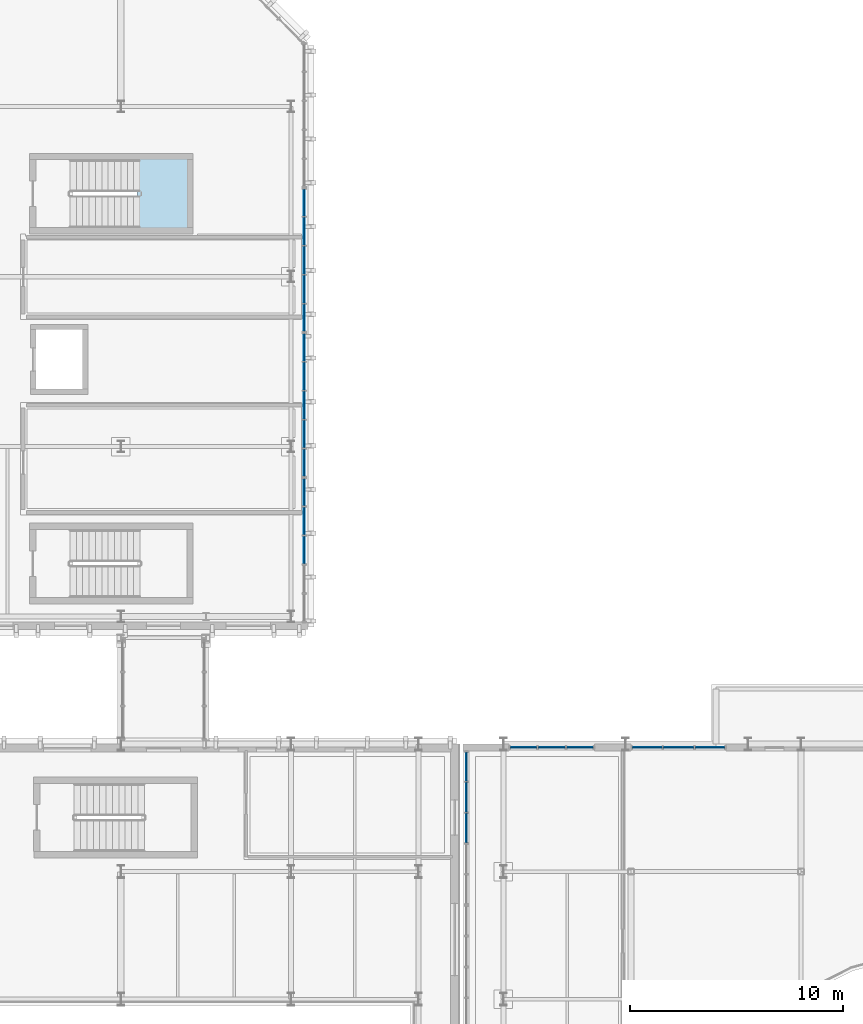
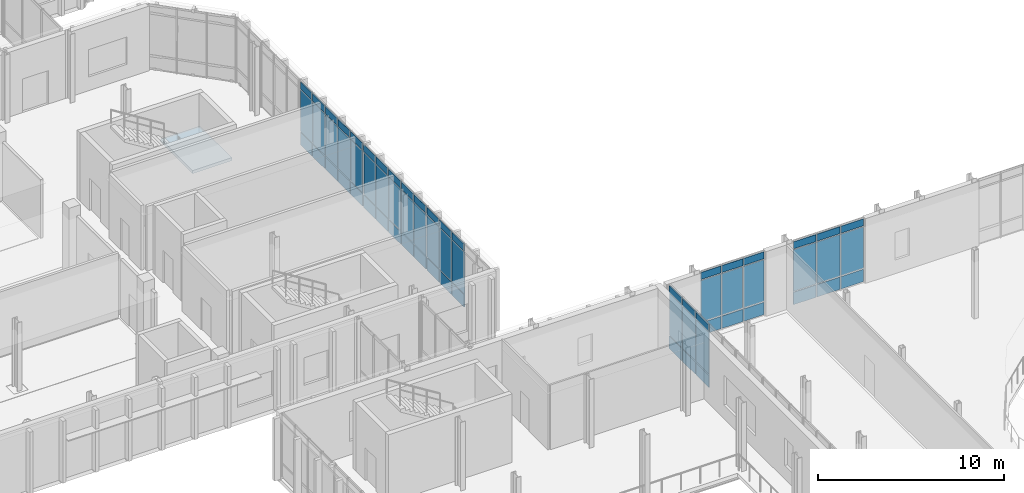
# One storey, part 50 of 100: 66 plates, 1 slab, 7 elements without a shape of their own.
"""IFC4 building model written with IfcOpenShell, lengths in metres."""

from ifc_helpers import new_model, si_unit, direction, frame, origin, origin_2d, place, context, subcontext, project, spatial, polyline, rectangle, outline, extrude, material, layer, layer_set, type_object, element, aggregate, save


model = new_model("IFC4")

# Units and contexts
model_context = context("Model", 3, precision=1e-05, world=origin(), true_north=direction((0.0, 1.0)))
body_context = subcontext(model_context, "Body", "Model", "MODEL_VIEW")
ifc_project = project(units=[si_unit("LENGTHUNIT", "METRE"), si_unit("AREAUNIT", "SQUARE_METRE"), si_unit("VOLUMEUNIT", "CUBIC_METRE"), si_unit("PLANEANGLEUNIT", "RADIAN"), si_unit("MASSUNIT", "GRAM", prefix="KILO")], contexts=[model_context])

# Site, building, storey
site_placement = place(None, origin())
site = spatial("IfcSite", under=ifc_project, at=site_placement, CompositionType="ELEMENT")
building_placement = place(site_placement, origin())
building = spatial("IfcBuilding", under=site, at=building_placement, Name="Cymarion Research Institute", CompositionType="ELEMENT")
storey_placement = place(building_placement, frame((0.0, 0.0, 4.800048828125)))
storey = spatial("IfcBuildingStorey", under=building, at=storey_placement, Name="L01", CompositionType="ELEMENT", Elevation=4.800048828125)

# Curtain wall, plates
ifc_material_1 = material(Name="Anodised aluminium unitised curtain wall with Low-E glazing", Category="aluminium")
curtain_wall_type_1 = type_object("IfcCurtainWallType", Name="UNITISED CURTAIN WALL CW12 4460X4250", PredefinedType="NOTDEFINED", material=ifc_material_1)
curtain_wall_1_placement = place(storey_placement, origin())
curtain_wall_1 = element("IfcCurtainWall", 1, at=curtain_wall_1_placement, inside=storey, type_object=curtain_wall_type_1, Name="L01 V2 unitised curtain wall CW12 #27", PredefinedType="NOTDEFINED")
ifc_material_2 = material(Name="Insulated anodised aluminium spandrel panel", Category="aluminium")
ifc_layer_1 = layer(ifc_material_2, 0.06005859375)
ifc_layer_set_1 = layer_set([ifc_layer_1], Name="Insulated anodised aluminium spandrel panel")
plate_type_1 = type_object("IfcPlateType", Name="INSULATED ALUMINIUM SPANDREL PANEL SP01 60MM", PredefinedType="SHEET", material=ifc_layer_set_1)
plate_1_placement = place(storey_placement, frame((66.3154296875, 41.340087890625, 0.059814453125), z_axis=(0.0, 0.0, 1.0), x_axis=(-1.0, 0.0, 0.0)))
plate_1 = element("IfcPlate", 2, at=plate_1_placement, type_object=plate_type_1, Name="CW12 panel 1.1", PredefinedType="SHEET", context=body_context, shape_type="SweptSolid", body=[
    extrude(rectangle(XDim=1.398193359375, YDim=0.06005859375, at=origin_2d()), origin(), (0.0, 0.0, 1.0), 0.81005859375),
])
plate_2_placement = place(storey_placement, frame((66.3154296875, 41.340087890625, 3.72998046875), z_axis=(0.0, 0.0, 1.0), x_axis=(-1.0, 0.0, 0.0)))
plate_2 = element("IfcPlate", 3, at=plate_2_placement, type_object=plate_type_1, Name="CW12 panel 1.3", PredefinedType="SHEET", context=body_context, shape_type="SweptSolid", body=[
    extrude(rectangle(XDim=1.398193359375, YDim=0.06005859375, at=origin_2d()), origin(), (0.0, 0.0, 1.0), 0.4599609375),
])
plate_3_placement = place(storey_placement, frame((64.84228515625, 41.340087890625, 0.059814453125), z_axis=(0.0, 0.0, 1.0), x_axis=(-1.0, 0.0, 0.0)))
plate_3 = element("IfcPlate", 4, at=plate_3_placement, type_object=plate_type_1, Name="CW12 panel 2.1", PredefinedType="SHEET", context=body_context, shape_type="SweptSolid", body=[
    extrude(rectangle(XDim=1.42822265625, YDim=0.06005859375, at=origin_2d()), origin(), (0.0, 0.0, 1.0), 0.81005859375),
])
plate_4_placement = place(storey_placement, frame((64.84228515625, 41.340087890625, 3.72998046875), z_axis=(0.0, 0.0, 1.0), x_axis=(-1.0, 0.0, 0.0)))
plate_4 = element("IfcPlate", 5, at=plate_4_placement, type_object=plate_type_1, Name="CW12 panel 2.3", PredefinedType="SHEET", context=body_context, shape_type="SweptSolid", body=[
    extrude(rectangle(XDim=1.42822265625, YDim=0.06005859375, at=origin_2d()), origin(), (0.0, 0.0, 1.0), 0.4599609375),
])
plate_5_placement = place(storey_placement, frame((63.369140625, 41.340087890625, 0.059814453125), z_axis=(0.0, 0.0, 1.0), x_axis=(-1.0, 0.0, 0.0)))
plate_5 = element("IfcPlate", 6, at=plate_5_placement, type_object=plate_type_1, Name="CW12 panel 3.1", PredefinedType="SHEET", context=body_context, shape_type="SweptSolid", body=[
    extrude(rectangle(XDim=1.398193359375, YDim=0.06005859375, at=origin_2d()), origin(), (0.0, 0.0, 1.0), 0.81005859375),
])
plate_6_placement = place(storey_placement, frame((63.369140625, 41.340087890625, 3.72998046875), z_axis=(0.0, 0.0, 1.0), x_axis=(-1.0, 0.0, 0.0)))
plate_6 = element("IfcPlate", 7, at=plate_6_placement, type_object=plate_type_1, Name="CW12 panel 3.3", PredefinedType="SHEET", context=body_context, shape_type="SweptSolid", body=[
    extrude(rectangle(XDim=1.398193359375, YDim=0.06005859375, at=origin_2d()), origin(), (0.0, 0.0, 1.0), 0.4599609375),
])

curtain_wall_type_2 = type_object("IfcCurtainWallType", Name="UNITISED CURTAIN WALL CW13 4030X4250", PredefinedType="NOTDEFINED", material=ifc_material_1)
curtain_wall_2_placement = place(storey_placement, origin())
curtain_wall_2 = element("IfcCurtainWall", 8, at=curtain_wall_2_placement, inside=storey, type_object=curtain_wall_type_2, Name="L01 V2 unitised curtain wall CW13 #28", PredefinedType="NOTDEFINED")
plate_7_placement = place(storey_placement, frame((60.201171875, 41.340087890625, 0.059814453125), z_axis=(0.0, 0.0, 1.0), x_axis=(-1.0, 0.0, 0.0)))
plate_7 = element("IfcPlate", 9, at=plate_7_placement, type_object=plate_type_1, Name="CW13 panel 1.1", PredefinedType="SHEET", context=body_context, shape_type="SweptSolid", body=[
    extrude(rectangle(XDim=1.25244140625, YDim=0.06005859375, at=origin_2d()), origin(), (0.0, 0.0, 1.0), 0.81005859375),
])
plate_8_placement = place(storey_placement, frame((60.201171875, 41.340087890625, 3.72998046875), z_axis=(0.0, 0.0, 1.0), x_axis=(-1.0, 0.0, 0.0)))
plate_8 = element("IfcPlate", 10, at=plate_8_placement, type_object=plate_type_1, Name="CW13 panel 1.3", PredefinedType="SHEET", context=body_context, shape_type="SweptSolid", body=[
    extrude(rectangle(XDim=1.25244140625, YDim=0.06005859375, at=origin_2d()), origin(), (0.0, 0.0, 1.0), 0.4599609375),
])
plate_9_placement = place(storey_placement, frame((58.87353515625, 41.340087890625, 0.059814453125), z_axis=(0.0, 0.0, 1.0), x_axis=(-1.0, 0.0, 0.0)))
plate_9 = element("IfcPlate", 11, at=plate_9_placement, type_object=plate_type_1, Name="CW13 panel 2.1", PredefinedType="SHEET", context=body_context, shape_type="SweptSolid", body=[
    extrude(rectangle(XDim=1.282470703125, YDim=0.06005859375, at=origin_2d()), origin(), (0.0, 0.0, 1.0), 0.81005859375),
])
plate_10_placement = place(storey_placement, frame((58.87353515625, 41.340087890625, 3.72998046875), z_axis=(0.0, 0.0, 1.0), x_axis=(-1.0, 0.0, 0.0)))
plate_10 = element("IfcPlate", 12, at=plate_10_placement, type_object=plate_type_1, Name="CW13 panel 2.3", PredefinedType="SHEET", context=body_context, shape_type="SweptSolid", body=[
    extrude(rectangle(XDim=1.282470703125, YDim=0.06005859375, at=origin_2d()), origin(), (0.0, 0.0, 1.0), 0.4599609375),
])
plate_11_placement = place(storey_placement, frame((57.546142578125, 41.340087890625, 0.059814453125), z_axis=(0.0, 0.0, 1.0), x_axis=(-1.0, 0.0, 0.0)))
plate_11 = element("IfcPlate", 13, at=plate_11_placement, type_object=plate_type_1, Name="CW13 panel 3.1", PredefinedType="SHEET", context=body_context, shape_type="SweptSolid", body=[
    extrude(rectangle(XDim=1.25244140625, YDim=0.06005859375, at=origin_2d()), origin(), (0.0, 0.0, 1.0), 0.81005859375),
])
plate_12_placement = place(storey_placement, frame((57.546142578125, 41.340087890625, 3.72998046875), z_axis=(0.0, 0.0, 1.0), x_axis=(-1.0, 0.0, 0.0)))
plate_12 = element("IfcPlate", 14, at=plate_12_placement, type_object=plate_type_1, Name="CW13 panel 3.3", PredefinedType="SHEET", context=body_context, shape_type="SweptSolid", body=[
    extrude(rectangle(XDim=1.25244140625, YDim=0.06005859375, at=origin_2d()), origin(), (0.0, 0.0, 1.0), 0.4599609375),
])

curtain_wall_type_3 = type_object("IfcCurtainWallType", Name="UNITISED CURTAIN WALL CW14 7260X4250", PredefinedType="NOTDEFINED", material=ifc_material_1)
curtain_wall_3_placement = place(storey_placement, origin())
curtain_wall_3 = element("IfcCurtainWall", 15, at=curtain_wall_3_placement, inside=storey, type_object=curtain_wall_type_3, Name="L01 V2 unitised curtain wall CW14 #29", PredefinedType="NOTDEFINED")
plate_13_placement = place(storey_placement, frame((54.860107421875, 40.439453125, 0.059814453125), z_axis=(0.0, 0.0, 1.0), x_axis=(0.0, -1.0, 0.0)))
plate_13 = element("IfcPlate", 16, at=plate_13_placement, type_object=plate_type_1, Name="CW14 panel 1.1", PredefinedType="SHEET", context=body_context, shape_type="SweptSolid", body=[
    extrude(rectangle(XDim=1.361083984375, YDim=0.06005859375, at=origin_2d()), origin(), (0.0, 0.0, 1.0), 0.81005859375),
])
plate_14_placement = place(storey_placement, frame((54.860107421875, 40.439453125, 3.72998046875), z_axis=(0.0, 0.0, 1.0), x_axis=(0.0, -1.0, 0.0)))
plate_14 = element("IfcPlate", 17, at=plate_14_placement, type_object=plate_type_1, Name="CW14 panel 1.3", PredefinedType="SHEET", context=body_context, shape_type="SweptSolid", body=[
    extrude(rectangle(XDim=1.361083984375, YDim=0.06005859375, at=origin_2d()), origin(), (0.0, 0.0, 1.0), 0.4599609375),
])
plate_15_placement = place(storey_placement, frame((54.860107421875, 39.003173828125, 0.059814453125), z_axis=(0.0, 0.0, 1.0), x_axis=(0.0, -1.0, 0.0)))
plate_15 = element("IfcPlate", 18, at=plate_15_placement, type_object=plate_type_1, Name="CW14 panel 2.1", PredefinedType="SHEET", context=body_context, shape_type="SweptSolid", body=[
    extrude(rectangle(XDim=1.39111328125, YDim=0.06005859375, at=origin_2d()), origin(), (0.0, 0.0, 1.0), 0.81005859375),
])
plate_16_placement = place(storey_placement, frame((54.860107421875, 39.003173828125, 3.72998046875), z_axis=(0.0, 0.0, 1.0), x_axis=(0.0, -1.0, 0.0)))
plate_16 = element("IfcPlate", 19, at=plate_16_placement, type_object=plate_type_1, Name="CW14 panel 2.3", PredefinedType="SHEET", context=body_context, shape_type="SweptSolid", body=[
    extrude(rectangle(XDim=1.39111328125, YDim=0.06005859375, at=origin_2d()), origin(), (0.0, 0.0, 1.0), 0.4599609375),
])
plate_17_placement = place(storey_placement, frame((54.860107421875, 37.552001953125, 0.059814453125), z_axis=(0.0, 0.0, 1.0), x_axis=(0.0, -1.0, 0.0)))
plate_17 = element("IfcPlate", 20, at=plate_17_placement, type_object=plate_type_1, Name="CW14 panel 3.1", PredefinedType="SHEET", context=body_context, shape_type="SweptSolid", body=[
    extrude(rectangle(XDim=1.39111328125, YDim=0.06005859375, at=origin_2d()), origin(), (0.0, 0.0, 1.0), 0.81005859375),
])
plate_18_placement = place(storey_placement, frame((54.860107421875, 37.552001953125, 3.72998046875), z_axis=(0.0, 0.0, 1.0), x_axis=(0.0, -1.0, 0.0)))
plate_18 = element("IfcPlate", 21, at=plate_18_placement, type_object=plate_type_1, Name="CW14 panel 3.3", PredefinedType="SHEET", context=body_context, shape_type="SweptSolid", body=[
    extrude(rectangle(XDim=1.39111328125, YDim=0.06005859375, at=origin_2d()), origin(), (0.0, 0.0, 1.0), 0.4599609375),
])

curtain_wall_type_4 = type_object("IfcCurtainWallType", Name="UNITISED CURTAIN WALL CW20 6820X4250", PredefinedType="NOTDEFINED", material=ifc_material_1)
curtain_wall_4_placement = place(storey_placement, origin())
curtain_wall_4 = element("IfcCurtainWall", 22, at=curtain_wall_4_placement, inside=storey, type_object=curtain_wall_type_4, Name="L01 V4 unitised curtain wall CW20 #39", PredefinedType="NOTDEFINED")
plate_19_placement = place(storey_placement, frame((47.22998046875, 50.6318359375, 0.059814453125), z_axis=(0.0, 0.0, 1.0), x_axis=(0.0, 1.0, 0.0)))
plate_19 = element("IfcPlate", 23, at=plate_19_placement, type_object=plate_type_1, Name="CW20 panel 3.1", PredefinedType="SHEET", context=body_context, shape_type="SweptSolid", body=[
    extrude(rectangle(XDim=1.303955078125, YDim=0.06005859375, at=origin_2d()), origin(), (0.0, 0.0, 1.0), 0.81005859375),
])
plate_20_placement = place(storey_placement, frame((47.22998046875, 50.6318359375, 3.72998046875), z_axis=(0.0, 0.0, 1.0), x_axis=(0.0, 1.0, 0.0)))
plate_20 = element("IfcPlate", 24, at=plate_20_placement, type_object=plate_type_1, Name="CW20 panel 3.3", PredefinedType="SHEET", context=body_context, shape_type="SweptSolid", body=[
    extrude(rectangle(XDim=1.303955078125, YDim=0.06005859375, at=origin_2d()), origin(), (0.0, 0.0, 1.0), 0.4599609375),
])
plate_21_placement = place(storey_placement, frame((47.22998046875, 51.99560546875, 0.059814453125), z_axis=(0.0, 0.0, 1.0), x_axis=(0.0, 1.0, 0.0)))
plate_21 = element("IfcPlate", 25, at=plate_21_placement, type_object=plate_type_1, Name="CW20 panel 4.1", PredefinedType="SHEET", context=body_context, shape_type="SweptSolid", body=[
    extrude(rectangle(XDim=1.303955078125, YDim=0.06005859375, at=origin_2d()), origin(), (0.0, 0.0, 1.0), 0.81005859375),
])
plate_22_placement = place(storey_placement, frame((47.22998046875, 51.99560546875, 3.72998046875), z_axis=(0.0, 0.0, 1.0), x_axis=(0.0, 1.0, 0.0)))
plate_22 = element("IfcPlate", 26, at=plate_22_placement, type_object=plate_type_1, Name="CW20 panel 4.3", PredefinedType="SHEET", context=body_context, shape_type="SweptSolid", body=[
    extrude(rectangle(XDim=1.303955078125, YDim=0.06005859375, at=origin_2d()), origin(), (0.0, 0.0, 1.0), 0.4599609375),
])
plate_23_placement = place(storey_placement, frame((47.22998046875, 53.344482421875, 0.059814453125), z_axis=(0.0, 0.0, 1.0), x_axis=(0.0, 1.0, 0.0)))
plate_23 = element("IfcPlate", 27, at=plate_23_placement, type_object=plate_type_1, Name="CW20 panel 5.1", PredefinedType="SHEET", context=body_context, shape_type="SweptSolid", body=[
    extrude(rectangle(XDim=1.27392578125, YDim=0.06005859375, at=origin_2d()), origin(), (0.0, 0.0, 1.0), 0.81005859375),
])
plate_24_placement = place(storey_placement, frame((47.22998046875, 53.344482421875, 3.72998046875), z_axis=(0.0, 0.0, 1.0), x_axis=(0.0, 1.0, 0.0)))
plate_24 = element("IfcPlate", 28, at=plate_24_placement, type_object=plate_type_1, Name="CW20 panel 5.3", PredefinedType="SHEET", context=body_context, shape_type="SweptSolid", body=[
    extrude(rectangle(XDim=1.27392578125, YDim=0.06005859375, at=origin_2d()), origin(), (0.0, 0.0, 1.0), 0.4599609375),
])

curtain_wall_5_placement = place(storey_placement, origin())
curtain_wall_5 = element("IfcCurtainWall", 29, at=curtain_wall_5_placement, inside=storey, type_object=curtain_wall_type_4, Name="L01 V4 unitised curtain wall CW20 #40", PredefinedType="NOTDEFINED")
plate_25_placement = place(storey_placement, frame((47.22998046875, 54.738525390625, 0.059814453125), z_axis=(0.0, 0.0, 1.0), x_axis=(0.0, 1.0, 0.0)))
plate_25 = element("IfcPlate", 30, at=plate_25_placement, type_object=plate_type_1, Name="CW20 panel 1.1", PredefinedType="SHEET", context=body_context, shape_type="SweptSolid", body=[
    extrude(rectangle(XDim=1.27392578125, YDim=0.06005859375, at=origin_2d()), origin(), (0.0, 0.0, 1.0), 0.81005859375),
])
plate_26_placement = place(storey_placement, frame((47.22998046875, 54.738525390625, 3.72998046875), z_axis=(0.0, 0.0, 1.0), x_axis=(0.0, 1.0, 0.0)))
plate_26 = element("IfcPlate", 31, at=plate_26_placement, type_object=plate_type_1, Name="CW20 panel 1.3", PredefinedType="SHEET", context=body_context, shape_type="SweptSolid", body=[
    extrude(rectangle(XDim=1.27392578125, YDim=0.06005859375, at=origin_2d()), origin(), (0.0, 0.0, 1.0), 0.4599609375),
])
plate_27_placement = place(storey_placement, frame((47.22998046875, 56.08740234375, 0.059814453125), z_axis=(0.0, 0.0, 1.0), x_axis=(0.0, 1.0, 0.0)))
plate_27 = element("IfcPlate", 32, at=plate_27_placement, type_object=plate_type_1, Name="CW20 panel 2.1", PredefinedType="SHEET", context=body_context, shape_type="SweptSolid", body=[
    extrude(rectangle(XDim=1.303955078125, YDim=0.06005859375, at=origin_2d()), origin(), (0.0, 0.0, 1.0), 0.81005859375),
])
plate_28_placement = place(storey_placement, frame((47.22998046875, 56.08740234375, 3.72998046875), z_axis=(0.0, 0.0, 1.0), x_axis=(0.0, 1.0, 0.0)))
plate_28 = element("IfcPlate", 33, at=plate_28_placement, type_object=plate_type_1, Name="CW20 panel 2.3", PredefinedType="SHEET", context=body_context, shape_type="SweptSolid", body=[
    extrude(rectangle(XDim=1.303955078125, YDim=0.06005859375, at=origin_2d()), origin(), (0.0, 0.0, 1.0), 0.4599609375),
])
plate_29_placement = place(storey_placement, frame((47.22998046875, 57.451171875, 0.059814453125), z_axis=(0.0, 0.0, 1.0), x_axis=(0.0, 1.0, 0.0)))
plate_29 = element("IfcPlate", 34, at=plate_29_placement, type_object=plate_type_1, Name="CW20 panel 3.1", PredefinedType="SHEET", context=body_context, shape_type="SweptSolid", body=[
    extrude(rectangle(XDim=1.303955078125, YDim=0.06005859375, at=origin_2d()), origin(), (0.0, 0.0, 1.0), 0.81005859375),
])
plate_30_placement = place(storey_placement, frame((47.22998046875, 57.451171875, 3.72998046875), z_axis=(0.0, 0.0, 1.0), x_axis=(0.0, 1.0, 0.0)))
plate_30 = element("IfcPlate", 35, at=plate_30_placement, type_object=plate_type_1, Name="CW20 panel 3.3", PredefinedType="SHEET", context=body_context, shape_type="SweptSolid", body=[
    extrude(rectangle(XDim=1.303955078125, YDim=0.06005859375, at=origin_2d()), origin(), (0.0, 0.0, 1.0), 0.4599609375),
])
plate_31_placement = place(storey_placement, frame((47.22998046875, 58.815185546875, 0.059814453125), z_axis=(0.0, 0.0, 1.0), x_axis=(0.0, 1.0, 0.0)))
plate_31 = element("IfcPlate", 36, at=plate_31_placement, type_object=plate_type_1, Name="CW20 panel 4.1", PredefinedType="SHEET", context=body_context, shape_type="SweptSolid", body=[
    extrude(rectangle(XDim=1.303955078125, YDim=0.06005859375, at=origin_2d()), origin(), (0.0, 0.0, 1.0), 0.81005859375),
])
plate_32_placement = place(storey_placement, frame((47.22998046875, 58.815185546875, 3.72998046875), z_axis=(0.0, 0.0, 1.0), x_axis=(0.0, 1.0, 0.0)))
plate_32 = element("IfcPlate", 37, at=plate_32_placement, type_object=plate_type_1, Name="CW20 panel 4.3", PredefinedType="SHEET", context=body_context, shape_type="SweptSolid", body=[
    extrude(rectangle(XDim=1.303955078125, YDim=0.06005859375, at=origin_2d()), origin(), (0.0, 0.0, 1.0), 0.4599609375),
])
plate_33_placement = place(storey_placement, frame((47.22998046875, 60.1640625, 0.059814453125), z_axis=(0.0, 0.0, 1.0), x_axis=(0.0, 1.0, 0.0)))
plate_33 = element("IfcPlate", 38, at=plate_33_placement, type_object=plate_type_1, Name="CW20 panel 5.1", PredefinedType="SHEET", context=body_context, shape_type="SweptSolid", body=[
    extrude(rectangle(XDim=1.27392578125, YDim=0.06005859375, at=origin_2d()), origin(), (0.0, 0.0, 1.0), 0.81005859375),
])
plate_34_placement = place(storey_placement, frame((47.22998046875, 60.1640625, 3.72998046875), z_axis=(0.0, 0.0, 1.0), x_axis=(0.0, 1.0, 0.0)))
plate_34 = element("IfcPlate", 39, at=plate_34_placement, type_object=plate_type_1, Name="CW20 panel 5.3", PredefinedType="SHEET", context=body_context, shape_type="SweptSolid", body=[
    extrude(rectangle(XDim=1.27392578125, YDim=0.06005859375, at=origin_2d()), origin(), (0.0, 0.0, 1.0), 0.4599609375),
])

curtain_wall_6_placement = place(storey_placement, origin())
curtain_wall_6 = element("IfcCurtainWall", 40, at=curtain_wall_6_placement, inside=storey, type_object=curtain_wall_type_4, Name="L01 V4 unitised curtain wall CW20 #41", PredefinedType="NOTDEFINED")
plate_35_placement = place(storey_placement, frame((47.22998046875, 61.557861328125, 0.059814453125), z_axis=(0.0, 0.0, 1.0), x_axis=(0.0, 1.0, 0.0)))
plate_35 = element("IfcPlate", 41, at=plate_35_placement, type_object=plate_type_1, Name="CW20 panel 1.1", PredefinedType="SHEET", context=body_context, shape_type="SweptSolid", body=[
    extrude(rectangle(XDim=1.27392578125, YDim=0.06005859375, at=origin_2d()), origin(), (0.0, 0.0, 1.0), 0.81005859375),
])
plate_36_placement = place(storey_placement, frame((47.22998046875, 61.557861328125, 3.72998046875), z_axis=(0.0, 0.0, 1.0), x_axis=(0.0, 1.0, 0.0)))
plate_36 = element("IfcPlate", 42, at=plate_36_placement, type_object=plate_type_1, Name="CW20 panel 1.3", PredefinedType="SHEET", context=body_context, shape_type="SweptSolid", body=[
    extrude(rectangle(XDim=1.27392578125, YDim=0.06005859375, at=origin_2d()), origin(), (0.0, 0.0, 1.0), 0.4599609375),
])
plate_37_placement = place(storey_placement, frame((47.22998046875, 62.90673828125, 0.059814453125), z_axis=(0.0, 0.0, 1.0), x_axis=(0.0, 1.0, 0.0)))
plate_37 = element("IfcPlate", 43, at=plate_37_placement, type_object=plate_type_1, Name="CW20 panel 2.1", PredefinedType="SHEET", context=body_context, shape_type="SweptSolid", body=[
    extrude(rectangle(XDim=1.303955078125, YDim=0.06005859375, at=origin_2d()), origin(), (0.0, 0.0, 1.0), 0.81005859375),
])
plate_38_placement = place(storey_placement, frame((47.22998046875, 62.90673828125, 3.72998046875), z_axis=(0.0, 0.0, 1.0), x_axis=(0.0, 1.0, 0.0)))
plate_38 = element("IfcPlate", 44, at=plate_38_placement, type_object=plate_type_1, Name="CW20 panel 2.3", PredefinedType="SHEET", context=body_context, shape_type="SweptSolid", body=[
    extrude(rectangle(XDim=1.303955078125, YDim=0.06005859375, at=origin_2d()), origin(), (0.0, 0.0, 1.0), 0.4599609375),
])
plate_39_placement = place(storey_placement, frame((47.22998046875, 64.270751953125, 0.059814453125), z_axis=(0.0, 0.0, 1.0), x_axis=(0.0, 1.0, 0.0)))
plate_39 = element("IfcPlate", 45, at=plate_39_placement, type_object=plate_type_1, Name="CW20 panel 3.1", PredefinedType="SHEET", context=body_context, shape_type="SweptSolid", body=[
    extrude(rectangle(XDim=1.303955078125, YDim=0.06005859375, at=origin_2d()), origin(), (0.0, 0.0, 1.0), 0.81005859375),
])
plate_40_placement = place(storey_placement, frame((47.22998046875, 64.270751953125, 3.72998046875), z_axis=(0.0, 0.0, 1.0), x_axis=(0.0, 1.0, 0.0)))
plate_40 = element("IfcPlate", 46, at=plate_40_placement, type_object=plate_type_1, Name="CW20 panel 3.3", PredefinedType="SHEET", context=body_context, shape_type="SweptSolid", body=[
    extrude(rectangle(XDim=1.303955078125, YDim=0.06005859375, at=origin_2d()), origin(), (0.0, 0.0, 1.0), 0.4599609375),
])
plate_41_placement = place(storey_placement, frame((47.22998046875, 65.634765625, 0.059814453125), z_axis=(0.0, 0.0, 1.0), x_axis=(0.0, 1.0, 0.0)))
plate_41 = element("IfcPlate", 47, at=plate_41_placement, type_object=plate_type_1, Name="CW20 panel 4.1", PredefinedType="SHEET", context=body_context, shape_type="SweptSolid", body=[
    extrude(rectangle(XDim=1.303955078125, YDim=0.06005859375, at=origin_2d()), origin(), (0.0, 0.0, 1.0), 0.81005859375),
])
plate_42_placement = place(storey_placement, frame((47.22998046875, 65.634765625, 3.72998046875), z_axis=(0.0, 0.0, 1.0), x_axis=(0.0, 1.0, 0.0)))
plate_42 = element("IfcPlate", 48, at=plate_42_placement, type_object=plate_type_1, Name="CW20 panel 4.3", PredefinedType="SHEET", context=body_context, shape_type="SweptSolid", body=[
    extrude(rectangle(XDim=1.303955078125, YDim=0.06005859375, at=origin_2d()), origin(), (0.0, 0.0, 1.0), 0.4599609375),
])
plate_43_placement = place(storey_placement, frame((47.22998046875, 66.983642578125, 0.059814453125), z_axis=(0.0, 0.0, 1.0), x_axis=(0.0, 1.0, 0.0)))
plate_43 = element("IfcPlate", 49, at=plate_43_placement, type_object=plate_type_1, Name="CW20 panel 5.1", PredefinedType="SHEET", context=body_context, shape_type="SweptSolid", body=[
    extrude(rectangle(XDim=1.27392578125, YDim=0.06005859375, at=origin_2d()), origin(), (0.0, 0.0, 1.0), 0.81005859375),
])
plate_44_placement = place(storey_placement, frame((47.22998046875, 66.983642578125, 3.72998046875), z_axis=(0.0, 0.0, 1.0), x_axis=(0.0, 1.0, 0.0)))
plate_44 = element("IfcPlate", 50, at=plate_44_placement, type_object=plate_type_1, Name="CW20 panel 5.3", PredefinedType="SHEET", context=body_context, shape_type="SweptSolid", body=[
    extrude(rectangle(XDim=1.27392578125, YDim=0.06005859375, at=origin_2d()), origin(), (0.0, 0.0, 1.0), 0.4599609375),
])

# Stair, slab
ifc_material_3 = material(Name="Concrete C35/45", Category="concrete")
stair_type = type_object("IfcStairType", Name="REINFORCED CONCRETE DOGLEG STAIR STR-4500", PredefinedType="HALF_TURN_STAIR", material=ifc_material_3)
stair_placement = place(storey_placement, origin())
stair = element("IfcStair", 51, at=stair_placement, inside=storey, type_object=stair_type, Name="L01 Core C8 Smoke-Proof Exit Stair ST8", PredefinedType="HALF_TURN_STAIR")
ifc_layer_2 = layer(ifc_material_3, 0.199951171875)
ifc_layer_set_2 = layer_set([ifc_layer_2], Name="Concrete C35/45")
slab_type = type_object("IfcSlabType", Name="REINFORCED CONCRETE STAIR LANDING LDG200", PredefinedType="LANDING", material=ifc_layer_set_2)
slab_placement = place(storey_placement, frame((0.0, 0.0, 2.050048828125)))
slab = element("IfcSlab", 52, at=slab_placement, type_object=slab_type, Name="ST8 landing 1", PredefinedType="LANDING", context=body_context, shape_type="SweptSolid", body=[
    extrude(outline(polyline([(39.3798828125, 65.679931640625), (39.3798828125, 69.1201171875), (41.820068359375, 69.1201171875), (41.820068359375, 65.679931640625), (39.3798828125, 65.679931640625)])), origin(), (0.0, 0.0, 1.0), 0.199951171875),
])
aggregate(stair, [slab])

# Plate
ifc_material_4 = material(Name="Low-E double solar-control glazing", Category="glass")
ifc_layer_3 = layer(ifc_material_4, 0.035888671875)
ifc_layer_set_3 = layer_set([ifc_layer_3], Name="Low-E double solar-control glazing")
plate_type_2 = type_object("IfcPlateType", Name="SOLAR CONTROL GLAZED VISION PANEL GP01 36MM", PredefinedType="CURTAIN_PANEL", material=ifc_layer_set_3)
plate_45_placement = place(storey_placement, frame((66.3154296875, 41.340087890625, 0.93017578125), z_axis=(0.0, 0.0, 1.0), x_axis=(-1.0, 0.0, 0.0)))
plate_45 = element("IfcPlate", 53, at=plate_45_placement, type_object=plate_type_2, Name="CW12 panel 1.2", PredefinedType="CURTAIN_PANEL", context=body_context, shape_type="SweptSolid", body=[
    extrude(rectangle(XDim=1.398193359375, YDim=0.035888671875, at=origin_2d()), origin(), (0.0, 0.0, 1.0), 2.739990234375),
])

plate_46_placement = place(storey_placement, frame((64.84228515625, 41.340087890625, 0.93017578125), z_axis=(0.0, 0.0, 1.0), x_axis=(-1.0, 0.0, 0.0)))
plate_46 = element("IfcPlate", 54, at=plate_46_placement, type_object=plate_type_2, Name="CW12 panel 2.2", PredefinedType="CURTAIN_PANEL", context=body_context, shape_type="SweptSolid", body=[
    extrude(rectangle(XDim=1.42822265625, YDim=0.035888671875, at=origin_2d()), origin(), (0.0, 0.0, 1.0), 2.739990234375),
])

plate_47_placement = place(storey_placement, frame((63.369140625, 41.340087890625, 0.93017578125), z_axis=(0.0, 0.0, 1.0), x_axis=(-1.0, 0.0, 0.0)))
plate_47 = element("IfcPlate", 55, at=plate_47_placement, type_object=plate_type_2, Name="CW12 panel 3.2", PredefinedType="CURTAIN_PANEL", context=body_context, shape_type="SweptSolid", body=[
    extrude(rectangle(XDim=1.398193359375, YDim=0.035888671875, at=origin_2d()), origin(), (0.0, 0.0, 1.0), 2.739990234375),
])

aggregate(curtain_wall_1, [plate_1, plate_45, plate_2, plate_3, plate_46, plate_4, plate_5, plate_47, plate_6])

plate_48_placement = place(storey_placement, frame((60.201171875, 41.340087890625, 0.93017578125), z_axis=(0.0, 0.0, 1.0), x_axis=(-1.0, 0.0, 0.0)))
plate_48 = element("IfcPlate", 56, at=plate_48_placement, type_object=plate_type_2, Name="CW13 panel 1.2", PredefinedType="CURTAIN_PANEL", context=body_context, shape_type="SweptSolid", body=[
    extrude(rectangle(XDim=1.25244140625, YDim=0.035888671875, at=origin_2d()), origin(), (0.0, 0.0, 1.0), 2.739990234375),
])

plate_49_placement = place(storey_placement, frame((58.87353515625, 41.340087890625, 0.93017578125), z_axis=(0.0, 0.0, 1.0), x_axis=(-1.0, 0.0, 0.0)))
plate_49 = element("IfcPlate", 57, at=plate_49_placement, type_object=plate_type_2, Name="CW13 panel 2.2", PredefinedType="CURTAIN_PANEL", context=body_context, shape_type="SweptSolid", body=[
    extrude(rectangle(XDim=1.282470703125, YDim=0.035888671875, at=origin_2d()), origin(), (0.0, 0.0, 1.0), 2.739990234375),
])

plate_50_placement = place(storey_placement, frame((57.546142578125, 41.340087890625, 0.93017578125), z_axis=(0.0, 0.0, 1.0), x_axis=(-1.0, 0.0, 0.0)))
plate_50 = element("IfcPlate", 58, at=plate_50_placement, type_object=plate_type_2, Name="CW13 panel 3.2", PredefinedType="CURTAIN_PANEL", context=body_context, shape_type="SweptSolid", body=[
    extrude(rectangle(XDim=1.25244140625, YDim=0.035888671875, at=origin_2d()), origin(), (0.0, 0.0, 1.0), 2.739990234375),
])

aggregate(curtain_wall_2, [plate_7, plate_48, plate_8, plate_9, plate_49, plate_10, plate_11, plate_50, plate_12])

plate_51_placement = place(storey_placement, frame((54.860107421875, 40.439453125, 0.93017578125), z_axis=(0.0, 0.0, 1.0), x_axis=(0.0, -1.0, 0.0)))
plate_51 = element("IfcPlate", 59, at=plate_51_placement, type_object=plate_type_2, Name="CW14 panel 1.2", PredefinedType="CURTAIN_PANEL", context=body_context, shape_type="SweptSolid", body=[
    extrude(rectangle(XDim=1.361083984375, YDim=0.035888671875, at=origin_2d()), origin(), (0.0, 0.0, 1.0), 2.739990234375),
])

plate_52_placement = place(storey_placement, frame((54.860107421875, 39.003173828125, 0.93017578125), z_axis=(0.0, 0.0, 1.0), x_axis=(0.0, -1.0, 0.0)))
plate_52 = element("IfcPlate", 60, at=plate_52_placement, type_object=plate_type_2, Name="CW14 panel 2.2", PredefinedType="CURTAIN_PANEL", context=body_context, shape_type="SweptSolid", body=[
    extrude(rectangle(XDim=1.39111328125, YDim=0.035888671875, at=origin_2d()), origin(), (0.0, 0.0, 1.0), 2.739990234375),
])

plate_53_placement = place(storey_placement, frame((54.860107421875, 37.552001953125, 0.93017578125), z_axis=(0.0, 0.0, 1.0), x_axis=(0.0, -1.0, 0.0)))
plate_53 = element("IfcPlate", 61, at=plate_53_placement, type_object=plate_type_2, Name="CW14 panel 3.2", PredefinedType="CURTAIN_PANEL", context=body_context, shape_type="SweptSolid", body=[
    extrude(rectangle(XDim=1.39111328125, YDim=0.035888671875, at=origin_2d()), origin(), (0.0, 0.0, 1.0), 2.739990234375),
])

aggregate(curtain_wall_3, [plate_13, plate_51, plate_14, plate_15, plate_52, plate_16, plate_17, plate_53, plate_18])

plate_54_placement = place(storey_placement, frame((47.22998046875, 50.6318359375, 0.93017578125), z_axis=(0.0, 0.0, 1.0), x_axis=(0.0, 1.0, 0.0)))
plate_54 = element("IfcPlate", 62, at=plate_54_placement, type_object=plate_type_2, Name="CW20 panel 3.2", PredefinedType="CURTAIN_PANEL", context=body_context, shape_type="SweptSolid", body=[
    extrude(rectangle(XDim=1.303955078125, YDim=0.035888671875, at=origin_2d()), origin(), (0.0, 0.0, 1.0), 2.739990234375),
])

plate_55_placement = place(storey_placement, frame((47.22998046875, 51.99560546875, 0.93017578125), z_axis=(0.0, 0.0, 1.0), x_axis=(0.0, 1.0, 0.0)))
plate_55 = element("IfcPlate", 63, at=plate_55_placement, type_object=plate_type_2, Name="CW20 panel 4.2", PredefinedType="CURTAIN_PANEL", context=body_context, shape_type="SweptSolid", body=[
    extrude(rectangle(XDim=1.303955078125, YDim=0.035888671875, at=origin_2d()), origin(), (0.0, 0.0, 1.0), 2.739990234375),
])

plate_56_placement = place(storey_placement, frame((47.22998046875, 53.344482421875, 0.93017578125), z_axis=(0.0, 0.0, 1.0), x_axis=(0.0, 1.0, 0.0)))
plate_56 = element("IfcPlate", 64, at=plate_56_placement, type_object=plate_type_2, Name="CW20 panel 5.2", PredefinedType="CURTAIN_PANEL", context=body_context, shape_type="SweptSolid", body=[
    extrude(rectangle(XDim=1.27392578125, YDim=0.035888671875, at=origin_2d()), origin(), (0.0, 0.0, 1.0), 2.739990234375),
])

aggregate(curtain_wall_4, [plate_19, plate_54, plate_20, plate_21, plate_55, plate_22, plate_23, plate_56, plate_24])

plate_57_placement = place(storey_placement, frame((47.22998046875, 54.738525390625, 0.93017578125), z_axis=(0.0, 0.0, 1.0), x_axis=(0.0, 1.0, 0.0)))
plate_57 = element("IfcPlate", 65, at=plate_57_placement, type_object=plate_type_2, Name="CW20 panel 1.2", PredefinedType="CURTAIN_PANEL", context=body_context, shape_type="SweptSolid", body=[
    extrude(rectangle(XDim=1.27392578125, YDim=0.035888671875, at=origin_2d()), origin(), (0.0, 0.0, 1.0), 2.739990234375),
])

plate_58_placement = place(storey_placement, frame((47.22998046875, 56.08740234375, 0.93017578125), z_axis=(0.0, 0.0, 1.0), x_axis=(0.0, 1.0, 0.0)))
plate_58 = element("IfcPlate", 66, at=plate_58_placement, type_object=plate_type_2, Name="CW20 panel 2.2", PredefinedType="CURTAIN_PANEL", context=body_context, shape_type="SweptSolid", body=[
    extrude(rectangle(XDim=1.303955078125, YDim=0.035888671875, at=origin_2d()), origin(), (0.0, 0.0, 1.0), 2.739990234375),
])

plate_59_placement = place(storey_placement, frame((47.22998046875, 57.451171875, 0.93017578125), z_axis=(0.0, 0.0, 1.0), x_axis=(0.0, 1.0, 0.0)))
plate_59 = element("IfcPlate", 67, at=plate_59_placement, type_object=plate_type_2, Name="CW20 panel 3.2", PredefinedType="CURTAIN_PANEL", context=body_context, shape_type="SweptSolid", body=[
    extrude(rectangle(XDim=1.303955078125, YDim=0.035888671875, at=origin_2d()), origin(), (0.0, 0.0, 1.0), 2.739990234375),
])

plate_60_placement = place(storey_placement, frame((47.22998046875, 58.815185546875, 0.93017578125), z_axis=(0.0, 0.0, 1.0), x_axis=(0.0, 1.0, 0.0)))
plate_60 = element("IfcPlate", 68, at=plate_60_placement, type_object=plate_type_2, Name="CW20 panel 4.2", PredefinedType="CURTAIN_PANEL", context=body_context, shape_type="SweptSolid", body=[
    extrude(rectangle(XDim=1.303955078125, YDim=0.035888671875, at=origin_2d()), origin(), (0.0, 0.0, 1.0), 2.739990234375),
])

plate_61_placement = place(storey_placement, frame((47.22998046875, 60.1640625, 0.93017578125), z_axis=(0.0, 0.0, 1.0), x_axis=(0.0, 1.0, 0.0)))
plate_61 = element("IfcPlate", 69, at=plate_61_placement, type_object=plate_type_2, Name="CW20 panel 5.2", PredefinedType="CURTAIN_PANEL", context=body_context, shape_type="SweptSolid", body=[
    extrude(rectangle(XDim=1.27392578125, YDim=0.035888671875, at=origin_2d()), origin(), (0.0, 0.0, 1.0), 2.739990234375),
])

aggregate(curtain_wall_5, [plate_25, plate_57, plate_26, plate_27, plate_58, plate_28, plate_29, plate_59, plate_30, plate_31, plate_60, plate_32, plate_33, plate_61, plate_34])

plate_62_placement = place(storey_placement, frame((47.22998046875, 61.557861328125, 0.93017578125), z_axis=(0.0, 0.0, 1.0), x_axis=(0.0, 1.0, 0.0)))
plate_62 = element("IfcPlate", 70, at=plate_62_placement, type_object=plate_type_2, Name="CW20 panel 1.2", PredefinedType="CURTAIN_PANEL", context=body_context, shape_type="SweptSolid", body=[
    extrude(rectangle(XDim=1.27392578125, YDim=0.035888671875, at=origin_2d()), origin(), (0.0, 0.0, 1.0), 2.739990234375),
])

plate_63_placement = place(storey_placement, frame((47.22998046875, 62.90673828125, 0.93017578125), z_axis=(0.0, 0.0, 1.0), x_axis=(0.0, 1.0, 0.0)))
plate_63 = element("IfcPlate", 71, at=plate_63_placement, type_object=plate_type_2, Name="CW20 panel 2.2", PredefinedType="CURTAIN_PANEL", context=body_context, shape_type="SweptSolid", body=[
    extrude(rectangle(XDim=1.303955078125, YDim=0.035888671875, at=origin_2d()), origin(), (0.0, 0.0, 1.0), 2.739990234375),
])

plate_64_placement = place(storey_placement, frame((47.22998046875, 64.270751953125, 0.93017578125), z_axis=(0.0, 0.0, 1.0), x_axis=(0.0, 1.0, 0.0)))
plate_64 = element("IfcPlate", 72, at=plate_64_placement, type_object=plate_type_2, Name="CW20 panel 3.2", PredefinedType="CURTAIN_PANEL", context=body_context, shape_type="SweptSolid", body=[
    extrude(rectangle(XDim=1.303955078125, YDim=0.035888671875, at=origin_2d()), origin(), (0.0, 0.0, 1.0), 2.739990234375),
])

plate_65_placement = place(storey_placement, frame((47.22998046875, 65.634765625, 0.93017578125), z_axis=(0.0, 0.0, 1.0), x_axis=(0.0, 1.0, 0.0)))
plate_65 = element("IfcPlate", 73, at=plate_65_placement, type_object=plate_type_2, Name="CW20 panel 4.2", PredefinedType="CURTAIN_PANEL", context=body_context, shape_type="SweptSolid", body=[
    extrude(rectangle(XDim=1.303955078125, YDim=0.035888671875, at=origin_2d()), origin(), (0.0, 0.0, 1.0), 2.739990234375),
])

plate_66_placement = place(storey_placement, frame((47.22998046875, 66.983642578125, 0.93017578125), z_axis=(0.0, 0.0, 1.0), x_axis=(0.0, 1.0, 0.0)))
plate_66 = element("IfcPlate", 74, at=plate_66_placement, type_object=plate_type_2, Name="CW20 panel 5.2", PredefinedType="CURTAIN_PANEL", context=body_context, shape_type="SweptSolid", body=[
    extrude(rectangle(XDim=1.27392578125, YDim=0.035888671875, at=origin_2d()), origin(), (0.0, 0.0, 1.0), 2.739990234375),
])

aggregate(curtain_wall_6, [plate_35, plate_62, plate_36, plate_37, plate_63, plate_38, plate_39, plate_64, plate_40, plate_41, plate_65, plate_42, plate_43, plate_66, plate_44])

save(model, "model.ifc")
